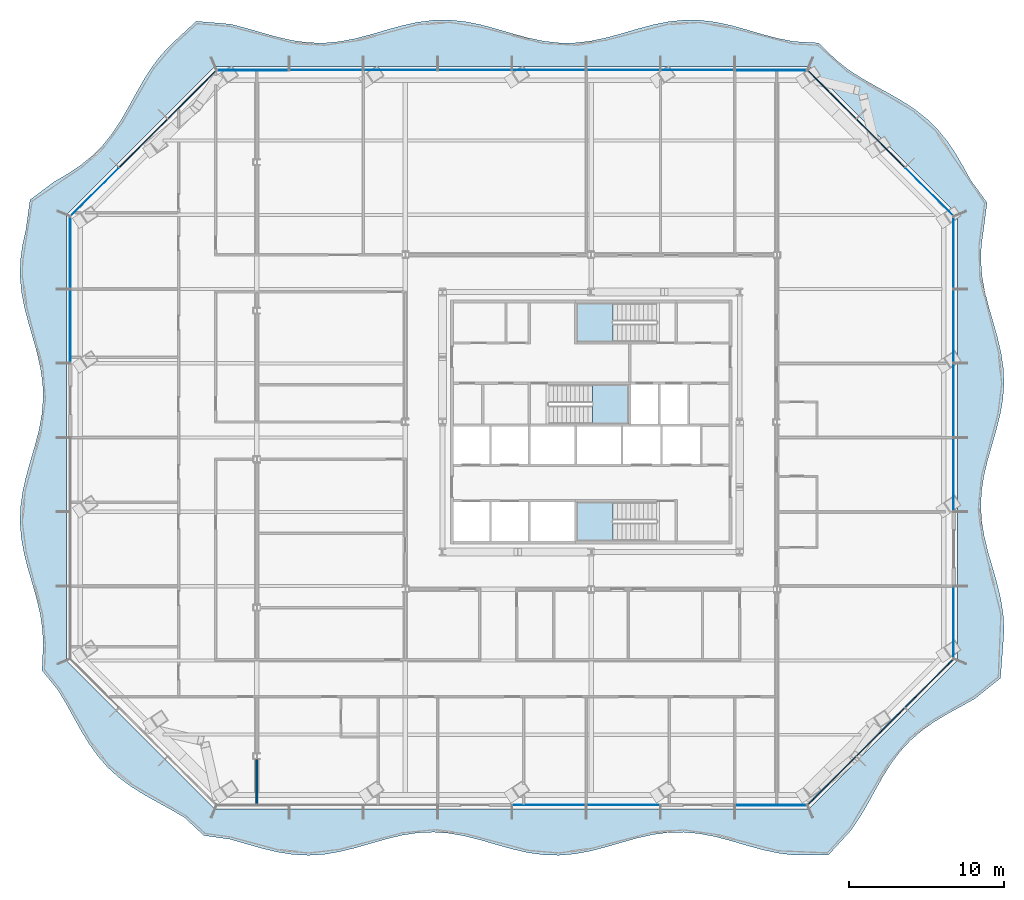
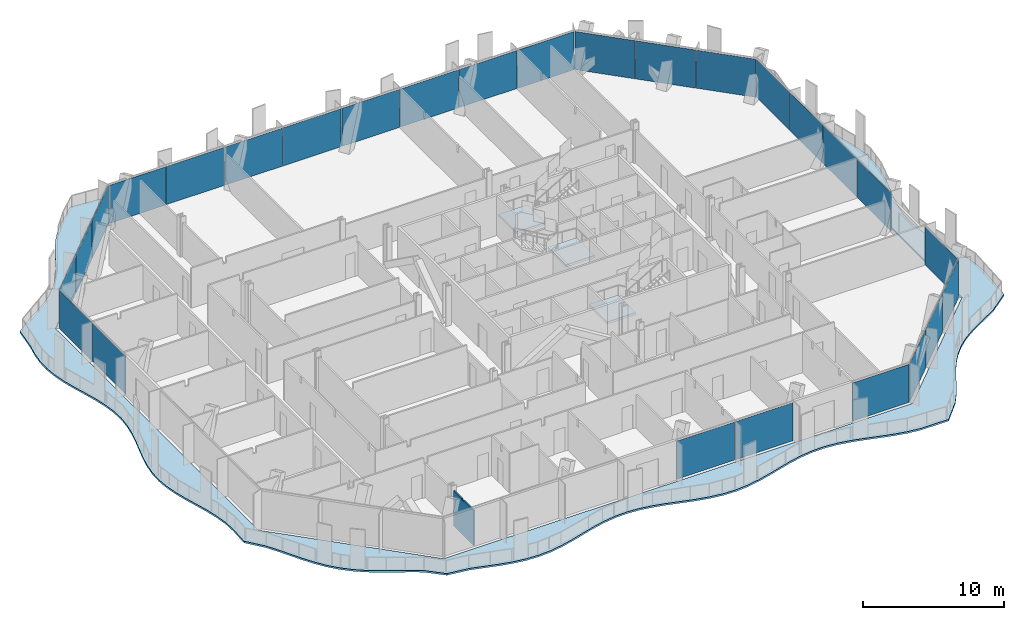
# One storey, part 5 of 19: 27 plates, 4 slabs, 1 wall, 10 elements without a shape of their own.
"""IFC4 building model written with IfcOpenShell, lengths in metres."""

from ifc_helpers import new_model, si_unit, direction, frame, origin, origin_2d, place, context, subcontext, project, spatial, polyline, rectangle, outline, extrude, material, layer, layer_set, type_object, element, aggregate, save


model = new_model("IFC4")

# Units and contexts
model_context = context("Model", 3, precision=1e-05, world=origin(), true_north=direction((0.0, 1.0)))
body_context = subcontext(model_context, "Body", "Model", "MODEL_VIEW")
ifc_project = project(units=[si_unit("LENGTHUNIT", "METRE"), si_unit("AREAUNIT", "SQUARE_METRE"), si_unit("VOLUMEUNIT", "CUBIC_METRE"), si_unit("PLANEANGLEUNIT", "RADIAN"), si_unit("MASSUNIT", "GRAM", prefix="KILO")], contexts=[model_context])

# Site, building, storey
site_placement = place(None, origin())
site = spatial("IfcSite", under=ifc_project, at=site_placement, CompositionType="ELEMENT")
building_placement = place(site_placement, origin())
building = spatial("IfcBuilding", under=site, at=building_placement, Name="Cairn Pilgrim Tower", CompositionType="ELEMENT")
storey_placement = place(building_placement, frame((0.0, 0.0, 97.800048828125)))
storey = spatial("IfcBuildingStorey", under=building, at=storey_placement, Name="L23", CompositionType="ELEMENT", Elevation=97.800048828125)

# Slab
ifc_material_1 = material(Name="Concrete C35/45", Category="concrete")
ifc_layer_1 = layer(ifc_material_1, 0.14990234375)
ifc_layer_set_1 = layer_set([ifc_layer_1], Name="BALCONY SLAB 150 CONCRETE C35/45")
slab_type_1 = type_object("IfcSlabType", Name="BALCONY SLAB 150 CONCRETE C35/45", PredefinedType="FLOOR", material=ifc_layer_set_1)
slab_1_placement = place(storey_placement, frame((0.0, 0.0, -0.150146484375)))
element("IfcSlab", 1, at=slab_1_placement, inside=storey, type_object=slab_type_1, Name="Balcony slab BS-1", PredefinedType="FLOOR", context=body_context, shape_type="SweptSolid", body=[
    extrude(outline(polyline([(-19.055419921875, -23.1796875), (-17.8251953125, -24.328369140625), (-16.102294921875, -24.574462890625), (-15.091796875, -24.86474609375), (-14.081298828125, -25.154296875), (-13.07080078125, -25.397705078125), (-12.060302734375, -25.557373046875), (-11.0498046875, -25.6083984375), (-10.039306640625, -25.54296875), (-9.02880859375, -25.37109375), (-8.018310546875, -25.11962890625), (-7.007568359375, -24.82763671875), (-5.9970703125, -24.54052734375), (-4.986572265625, -24.302734375), (-3.97607421875, -24.1513671875), (-2.965576171875, -24.10986328125), (-1.955078125, -24.184814453125), (-0.944580078125, -24.364501953125), (0.06591796875, -24.620849609375), (1.07666015625, -24.914306640625), (2.087158203125, -25.19921875), (3.09765625, -25.430908203125), (4.108154296875, -25.57373046875), (5.11865234375, -25.60546875), (6.129150390625, -25.521240234375), (7.1396484375, -25.333740234375), (8.150146484375, -25.072509765625), (9.16064453125, -24.778076171875), (10.17138671875, -24.496337890625), (11.181884765625, -24.2705078125), (12.1923828125, -24.136474609375), (13.202880859375, -24.114501953125), (14.21337890625, -24.2080078125), (15.223876953125, -24.40283203125), (16.234375, -24.66845703125), (17.244873046875, -24.963623046875), (18.25537109375, -25.242431640625), (19.26611328125, -25.461669921875), (20.276611328125, -25.587158203125), (22.52587890625, -25.599365234375), (24.019287109375, -23.96923828125), (24.5712890625, -23.14990234375), (25.077392578125, -22.28466796875), (25.56298828125, -21.398681640625), (26.056884765625, -20.521240234375), (26.586669921875, -19.6796875), (27.174560546875, -18.89599609375), (27.83447265625, -18.1845703125), (28.5703125, -17.549072265625), (29.374755859375, -16.982177734375), (30.23095703125, -16.466796875), (31.1142578125, -15.978759765625), (31.99658203125, -15.489501953125), (33.662353515625, -14.158203125), (33.826416015625, -12.015625), (33.886962890625, -11.0224609375), (33.8349609375, -10.029296875), (33.677978515625, -9.0361328125), (33.439697265625, -8.043212890625), (33.15625, -7.050048828125), (32.86962890625, -6.056884765625), (32.623291015625, -5.063720703125), (32.4541015625, -4.07080078125), (32.387451171875, -3.07763671875), (32.43359375, -2.08447265625), (32.5849609375, -1.09130859375), (32.819580078125, -0.098388671875), (33.101806640625, 0.894775390625), (33.38916015625, 1.887939453125), (33.638671875, 2.881103515625), (33.81298828125, 3.8740234375), (33.8857421875, 4.8671875), (33.84619140625, 5.8603515625), (33.699951171875, 6.853515625), (33.46923828125, 7.846435546875), (33.188720703125, 8.839599609375), (32.900390625, 9.832763671875), (32.6474609375, 10.825927734375), (32.46826171875, 11.81884765625), (32.389404296875, 12.81201171875), (32.4228515625, 13.80517578125), (32.5634765625, 14.79833984375), (32.79052734375, 16.579833984375), (31.739501953125, 18.015380859375), (31.253662109375, 18.90087890625), (30.746826171875, 19.765380859375), (30.193359375, 20.583251953125), (29.573974609375, 21.33544921875), (28.879638671875, 22.0126953125), (28.111328125, 22.61572265625), (27.281005859375, 23.15673828125), (26.4091796875, 23.656494140625), (25.522705078125, 24.141357421875), (24.650390625, 24.640380859375), (23.81884765625, 25.18017578125), (23.048828125, 25.78173828125), (21.911376953125, 26.898681640625), (20.276611328125, 26.996337890625), (19.26611328125, 27.1943359375), (18.25537109375, 27.4619140625), (17.244873046875, 27.75732421875), (16.234375, 28.03466796875), (15.223876953125, 28.2509765625), (14.21337890625, 28.37255859375), (13.202880859375, 28.38037109375), (12.1923828125, 28.2734375), (11.181884765625, 28.068359375), (10.17138671875, 27.796630859375), (9.16064453125, 27.5009765625), (8.150146484375, 27.227294921875), (7.1396484375, 27.017822265625), (6.129150390625, 26.9052734375), (5.11865234375, 26.906982421875), (4.108154296875, 27.02294921875), (3.09765625, 27.235107421875), (2.087158203125, 27.51025390625), (1.07666015625, 27.805908203125), (0.06591796875, 28.075927734375), (-0.944580078125, 28.278564453125), (-1.955078125, 28.3818359375), (-2.965576171875, 28.370361328125), (-3.97607421875, 28.245361328125), (-4.986572265625, 28.026611328125), (-5.9970703125, 27.747802734375), (-7.007568359375, 27.45263671875), (-8.018310546875, 27.186767578125), (-9.02880859375, 26.991455078125), (-10.039306640625, 26.897216796875), (-11.0498046875, 26.918701171875), (-12.060302734375, 27.052490234375), (-13.07080078125, 27.277587890625), (-14.081298828125, 27.5595703125), (-15.091796875, 27.85400390625), (-16.102294921875, 28.115478515625), (-18.319091796875, 28.30322265625), (-19.916748046875, 26.82373046875), (-20.586181640625, 26.121826171875), (-21.182373046875, 25.346435546875), (-21.71826171875, 24.510986328125), (-22.215087890625, 23.636474609375), (-22.7001953125, 22.75), (-23.2021484375, 21.880615234375), (-23.747314453125, 21.054443359375), (-24.35595703125, 20.29150390625), (-25.0390625, 19.603271484375), (-25.796875, 18.989501953125), (-26.619140625, 18.4404296875), (-27.486328125, 17.93603515625), (-29.0595703125, 16.763427734375), (-29.335205078125, 14.79833984375), (-29.5546875, 13.80517578125), (-29.685546875, 12.81201171875), (-29.707763671875, 11.81884765625), (-29.6181640625, 10.825927734375), (-29.429931640625, 9.832763671875), (-29.171875, 8.839599609375), (-28.88232421875, 7.846435546875), (-28.60498046875, 6.853515625), (-28.38134765625, 5.8603515625), (-28.244873046875, 4.8671875), (-28.216552734375, 3.8740234375), (-28.300048828125, 2.881103515625), (-28.483154296875, 1.887939453125), (-28.738525390625, 0.894775390625), (-29.02734375, -0.098388671875), (-29.306640625, -1.09130859375), (-29.5341796875, -2.08447265625), (-29.676025390625, -3.07763671875), (-29.7109375, -4.07080078125), (-29.63330078125, -5.063720703125), (-29.455078125, -6.056884765625), (-29.202880859375, -7.050048828125), (-28.914794921875, -8.043212890625), (-28.6337890625, -9.0361328125), (-28.40234375, -10.029296875), (-28.2548828125, -11.0224609375), (-28.214111328125, -12.015625), (-28.285400390625, -13.659912109375), (-27.258056640625, -14.92529296875), (-26.742919921875, -15.781494140625), (-26.2548828125, -16.664794921875), (-25.765625, -17.547119140625), (-25.2470703125, -18.39990234375), (-24.67529296875, -19.19970703125), (-24.033935546875, -19.9296875), (-23.316650390625, -20.583740234375), (-22.52783203125, -21.16650390625), (-21.6826171875, -21.692626953125), (-20.803466796875, -22.184814453125), (-19.918212890625, -22.6708984375), (-19.055419921875, -23.1796875)]), holes=[polyline([(21.287109375, -22.608642578125), (-17.113037109375, -22.608642578125), (-26.712890625, -13.008544921875), (-26.712890625, 15.791259765625), (-17.113037109375, 25.391357421875), (21.287109375, 25.391357421875), (30.886962890625, 15.791259765625), (30.886962890625, -13.008544921875), (21.287109375, -22.608642578125)])]), origin(), (0.0, 0.0, 1.0), 0.150146484375),
])

# Curtain wall, plates
ifc_material_2 = material(Name="Aluminium alloy 6063-T6 bronze anodised with Bronze tinted laminated low-E glass 8+16+8.8", Category="aluminium")
curtain_wall_type_1 = type_object("IfcCurtainWallType", Name="CHAMFER CORNER CURTAIN WALL", PredefinedType="NOTDEFINED", material=ifc_material_2)
curtain_wall_1_placement = place(storey_placement, origin())
curtain_wall_1 = element("IfcCurtainWall", 2, at=curtain_wall_1_placement, inside=storey, type_object=curtain_wall_type_1, Name="Chamfer Corner Curtain Wall SE", PredefinedType="NOTDEFINED")
ifc_material_3 = material(Name="Bronze anodised aluminium spandrel panel with mineral wool insulation", Category="aluminium")
ifc_layer_2 = layer(ifc_material_3, 0.06005859375)
ifc_layer_set_2 = layer_set([ifc_layer_2], Name="SPANDREL PANEL 4386x3300")
plate_type_1 = type_object("IfcPlateType", Name="SPANDREL PANEL 4386x3300", PredefinedType="CURTAIN_PANEL", material=ifc_layer_set_2)
plate_1_placement = place(storey_placement, frame((22.7626953125, -20.779541015625, 0.0), z_axis=(0.0, 0.0, 1.0), x_axis=(0.707106781187, 0.707106781187, 0.0)))
plate_1 = element("IfcPlate", 3, at=plate_1_placement, type_object=plate_type_1, Name="Spandrel Panel SE1-1", PredefinedType="CURTAIN_PANEL", context=body_context, shape_type="SweptSolid", body=[
    extrude(rectangle(XDim=4.386474609375, YDim=0.06005859375, at=origin_2d()), origin(), (0.0, 0.0, 1.0), 3.300048828125),
])
plate_2_placement = place(storey_placement, frame((29.057861328125, -14.484130859375, 0.0), z_axis=(0.0, 0.0, 1.0), x_axis=(0.707106781187, 0.707106781187, 0.0)))
plate_2 = element("IfcPlate", 4, at=plate_2_placement, type_object=plate_type_1, Name="Spandrel Panel SE3-1", PredefinedType="CURTAIN_PANEL", context=body_context, shape_type="SweptSolid", body=[
    extrude(rectangle(XDim=4.386474609375, YDim=0.06005859375, at=origin_2d()), origin(), (0.0, 0.0, 1.0), 3.300048828125),
])

# Curtain wall, plate
curtain_wall_2_placement = place(storey_placement, origin())
curtain_wall_2 = element("IfcCurtainWall", 5, at=curtain_wall_2_placement, inside=storey, type_object=curtain_wall_type_1, Name="Chamfer Corner Curtain Wall NE", PredefinedType="NOTDEFINED")
plate_3_placement = place(storey_placement, frame((22.7626953125, 23.562255859375, 0.0), z_axis=(0.0, 0.0, 1.0), x_axis=(-0.707106781187, 0.707106781187, 0.0)))
plate_3 = element("IfcPlate", 6, at=plate_3_placement, type_object=plate_type_1, Name="Spandrel Panel NE3-1", PredefinedType="CURTAIN_PANEL", context=body_context, shape_type="SweptSolid", body=[
    extrude(rectangle(XDim=4.386474609375, YDim=0.06005859375, at=origin_2d()), origin(), (0.0, 0.0, 1.0), 3.300048828125),
])

curtain_wall_3_placement = place(storey_placement, origin())
curtain_wall_3 = element("IfcCurtainWall", 7, at=curtain_wall_3_placement, inside=storey, type_object=curtain_wall_type_1, Name="Chamfer Corner Curtain Wall NW", PredefinedType="NOTDEFINED")
plate_4_placement = place(storey_placement, frame((-18.588623046875, 23.562255859375, 0.0), z_axis=(0.0, 0.0, 1.0), x_axis=(-0.707106781187, -0.707106781187, 0.0)))
plate_4 = element("IfcPlate", 8, at=plate_4_placement, type_object=plate_type_1, Name="Spandrel Panel NW1-1", PredefinedType="CURTAIN_PANEL", context=body_context, shape_type="SweptSolid", body=[
    extrude(rectangle(XDim=4.386474609375, YDim=0.06005859375, at=origin_2d()), origin(), (0.0, 0.0, 1.0), 3.300048828125),
])

# Plate
ifc_layer_3 = layer(ifc_material_3, 0.06005859375)
ifc_layer_set_3 = layer_set([ifc_layer_3], Name="SPANDREL PANEL 4396x3300")
plate_type_2 = type_object("IfcPlateType", Name="SPANDREL PANEL 4396x3300", PredefinedType="CURTAIN_PANEL", material=ifc_layer_set_3)
plate_5_placement = place(storey_placement, frame((25.910400390625, -17.6318359375, 0.0), z_axis=(0.0, 0.0, 1.0), x_axis=(0.707106781187, 0.707106781187, 0.0)))
plate_5 = element("IfcPlate", 9, at=plate_5_placement, type_object=plate_type_2, Name="Spandrel Panel SE2-1", PredefinedType="CURTAIN_PANEL", context=body_context, shape_type="SweptSolid", body=[
    extrude(rectangle(XDim=4.396484375, YDim=0.06005859375, at=origin_2d()), origin(), (0.0, 0.0, 1.0), 3.300048828125),
])

aggregate(curtain_wall_1, [plate_1, plate_5, plate_2])

plate_6_placement = place(storey_placement, frame((25.910400390625, 20.41455078125, 0.0), z_axis=(0.0, 0.0, 1.0), x_axis=(-0.707106781187, 0.707106781187, 0.0)))
plate_6 = element("IfcPlate", 10, at=plate_6_placement, type_object=plate_type_2, Name="Spandrel Panel NE2-1", PredefinedType="CURTAIN_PANEL", context=body_context, shape_type="SweptSolid", body=[
    extrude(rectangle(XDim=4.396484375, YDim=0.06005859375, at=origin_2d()), origin(), (0.0, 0.0, 1.0), 3.300048828125),
])

plate_7_placement = place(storey_placement, frame((-21.736083984375, 20.41455078125, 0.0), z_axis=(0.0, 0.0, 1.0), x_axis=(-0.707106781187, -0.707106781187, 0.0)))
plate_7 = element("IfcPlate", 11, at=plate_7_placement, type_object=plate_type_2, Name="Spandrel Panel NW2-1", PredefinedType="CURTAIN_PANEL", context=body_context, shape_type="SweptSolid", body=[
    extrude(rectangle(XDim=4.396484375, YDim=0.06005859375, at=origin_2d()), origin(), (0.0, 0.0, 1.0), 3.300048828125),
])

# Curtain wall, plate
curtain_wall_type_2 = type_object("IfcCurtainWallType", Name="TOWER STICK CURTAIN WALL NS", PredefinedType="NOTDEFINED", material=ifc_material_2)
curtain_wall_4_placement = place(storey_placement, origin())
curtain_wall_4 = element("IfcCurtainWall", 12, at=curtain_wall_4_placement, inside=storey, type_object=curtain_wall_type_2, Name="Tower Stick Curtain Wall Ns S", PredefinedType="NOTDEFINED")
ifc_layer_4 = layer(ifc_material_3, 0.06005859375)
ifc_layer_set_4 = layer_set([ifc_layer_4], Name="SPANDREL PANEL 4626x3300")
plate_type_3 = type_object("IfcPlateType", Name="SPANDREL PANEL 4626x3300", PredefinedType="CURTAIN_PANEL", material=ifc_layer_set_4)
plate_8_placement = place(storey_placement, frame((18.830322265625, -22.358642578125, 0.0), z_axis=(0.0, 0.0, 1.0), x_axis=(1.0, 0.0, 0.0)))
plate_8 = element("IfcPlate", 13, at=plate_8_placement, type_object=plate_type_3, Name="Spandrel Panel S8-1", PredefinedType="CURTAIN_PANEL", context=body_context, shape_type="SweptSolid", body=[
    extrude(rectangle(XDim=4.62646484375, YDim=0.06005859375, at=origin_2d()), origin(), (0.0, 0.0, 1.0), 3.300048828125),
])

# Curtain wall, plates
curtain_wall_5_placement = place(storey_placement, origin())
curtain_wall_5 = element("IfcCurtainWall", 14, at=curtain_wall_5_placement, inside=storey, type_object=curtain_wall_type_2, Name="Tower Stick Curtain Wall Ns N", PredefinedType="NOTDEFINED")
plate_9_placement = place(storey_placement, frame((18.830322265625, 25.141357421875, 0.0), z_axis=(0.0, 0.0, 1.0), x_axis=(-1.0, 0.0, 0.0)))
plate_9 = element("IfcPlate", 15, at=plate_9_placement, type_object=plate_type_3, Name="Spandrel Panel N1-1", PredefinedType="CURTAIN_PANEL", context=body_context, shape_type="SweptSolid", body=[
    extrude(rectangle(XDim=4.62646484375, YDim=0.06005859375, at=origin_2d()), origin(), (0.0, 0.0, 1.0), 3.300048828125),
])
plate_10_placement = place(storey_placement, frame((-14.65625, 25.141357421875, 0.0), z_axis=(0.0, 0.0, 1.0), x_axis=(-1.0, 0.0, 0.0)))
plate_10 = element("IfcPlate", 16, at=plate_10_placement, type_object=plate_type_3, Name="Spandrel Panel N8-1", PredefinedType="CURTAIN_PANEL", context=body_context, shape_type="SweptSolid", body=[
    extrude(rectangle(XDim=4.62646484375, YDim=0.06005859375, at=origin_2d()), origin(), (0.0, 0.0, 1.0), 3.300048828125),
])

# Stair, slab
ifc_material_4 = material(Name="Concrete C32/40", Category="concrete")
stair_type = type_object("IfcStairType", Name="EXIT STAIR 1200", PredefinedType="HALF_TURN_STAIR", material=ifc_material_4)
stair_1_placement = place(storey_placement, origin())
stair_1 = element("IfcStair", 17, at=stair_1_placement, inside=storey, type_object=stair_type, Name="L23 Exit Stair A", PredefinedType="HALF_TURN_STAIR")
ifc_layer_5 = layer(ifc_material_4, 0.199951171875)
ifc_layer_set_5 = layer_set([ifc_layer_5], Name="STAIR LANDING 200")
slab_type_2 = type_object("IfcSlabType", Name="STAIR LANDING 200", PredefinedType="LANDING", material=ifc_layer_set_5)
slab_2_placement = place(storey_placement, frame((0.0, 0.0, 1.599853515625)))
slab_2 = element("IfcSlab", 18, at=slab_2_placement, type_object=slab_type_2, Name="ST-A landing 1", PredefinedType="LANDING", context=body_context, shape_type="SweptSolid", body=[
    extrude(outline(polyline([(8.625, -2.77490234375), (6.27490234375, -2.77490234375), (6.27490234375, -5.300048828125), (8.625, -5.300048828125), (8.625, -2.77490234375)])), origin(), (0.0, 0.0, 1.0), 0.2001953125),
])
aggregate(stair_1, [slab_2])

stair_2_placement = place(storey_placement, origin())
stair_2 = element("IfcStair", 19, at=stair_2_placement, inside=storey, type_object=stair_type, Name="L23 Exit Stair B", PredefinedType="HALF_TURN_STAIR")
slab_3_placement = place(storey_placement, frame((0.0, 0.0, 1.599853515625)))
slab_3 = element("IfcSlab", 20, at=slab_3_placement, type_object=slab_type_2, Name="ST-B landing 1", PredefinedType="LANDING", context=body_context, shape_type="SweptSolid", body=[
    extrude(outline(polyline([(7.27490234375, 2.27490234375), (9.625, 2.27490234375), (9.625, 4.824951171875), (7.27490234375, 4.824951171875), (7.27490234375, 2.27490234375)])), origin(), (0.0, 0.0, 1.0), 0.2001953125),
])
aggregate(stair_2, [slab_3])

stair_3_placement = place(storey_placement, origin())
stair_3 = element("IfcStair", 21, at=stair_3_placement, inside=storey, type_object=stair_type, Name="L23 Exit Stair C", PredefinedType="HALF_TURN_STAIR")
slab_4_placement = place(storey_placement, frame((0.0, 0.0, 1.599853515625)))
slab_4 = element("IfcSlab", 22, at=slab_4_placement, type_object=slab_type_2, Name="ST-C landing 1", PredefinedType="LANDING", context=body_context, shape_type="SweptSolid", body=[
    extrude(outline(polyline([(8.625, 10.10009765625), (6.27490234375, 10.10009765625), (6.27490234375, 7.574951171875), (8.625, 7.574951171875), (8.625, 10.10009765625)])), origin(), (0.0, 0.0, 1.0), 0.2001953125),
])
aggregate(stair_3, [slab_4])

# Plate
ifc_material_5 = material(Name="Bronze tinted laminated low-E glass 8+16+8.8", Category="glass")
ifc_layer_6 = layer(ifc_material_5, 0.033935546875)
ifc_layer_set_6 = layer_set([ifc_layer_6], Name="VISION GLAZING 4386x3300")
plate_type_4 = type_object("IfcPlateType", Name="VISION GLAZING 4386x3300", PredefinedType="CURTAIN_PANEL", material=ifc_layer_set_6)
plate_11_placement = place(storey_placement, frame((29.057861328125, 17.266845703125, 0.0), z_axis=(0.0, 0.0, 1.0), x_axis=(-0.707106781187, 0.707106781187, 0.0)))
plate_11 = element("IfcPlate", 23, at=plate_11_placement, type_object=plate_type_4, Name="Vision Glazing NE1-1", PredefinedType="CURTAIN_PANEL", context=body_context, shape_type="SweptSolid", body=[
    extrude(rectangle(XDim=4.386474609375, YDim=0.033935546875, at=origin_2d()), origin(), (0.0, 0.0, 1.0), 3.300048828125),
])

aggregate(curtain_wall_2, [plate_11, plate_6, plate_3])

plate_12_placement = place(storey_placement, frame((-24.8837890625, 17.266845703125, 0.0), z_axis=(0.0, 0.0, 1.0), x_axis=(-0.707106781187, -0.707106781187, 0.0)))
plate_12 = element("IfcPlate", 24, at=plate_12_placement, type_object=plate_type_4, Name="Vision Glazing NW3-1", PredefinedType="CURTAIN_PANEL", context=body_context, shape_type="SweptSolid", body=[
    extrude(rectangle(XDim=4.386474609375, YDim=0.033935546875, at=origin_2d()), origin(), (0.0, 0.0, 1.0), 3.300048828125),
])

aggregate(curtain_wall_3, [plate_4, plate_7, plate_12])

# Curtain wall, plates
curtain_wall_type_3 = type_object("IfcCurtainWallType", Name="TOWER STICK CURTAIN WALL EW", PredefinedType="NOTDEFINED", material=ifc_material_2)
curtain_wall_6_placement = place(storey_placement, origin())
curtain_wall_6 = element("IfcCurtainWall", 25, at=curtain_wall_6_placement, inside=storey, type_object=curtain_wall_type_3, Name="Tower Stick Curtain Wall Ew E", PredefinedType="NOTDEFINED")
ifc_layer_7 = layer(ifc_material_5, 0.033935546875)
ifc_layer_set_7 = layer_set([ifc_layer_7], Name="VISION GLAZING 4626x3300")
plate_type_5 = type_object("IfcPlateType", Name="VISION GLAZING 4626x3300", PredefinedType="CURTAIN_PANEL", material=ifc_layer_set_7)
plate_13_placement = place(storey_placement, frame((30.636962890625, -10.5517578125, 0.0), z_axis=(0.0, 0.0, 1.0), x_axis=(0.0, 1.0, 0.0)))
plate_13 = element("IfcPlate", 26, at=plate_13_placement, type_object=plate_type_5, Name="Vision Glazing E1-1", PredefinedType="CURTAIN_PANEL", context=body_context, shape_type="SweptSolid", body=[
    extrude(rectangle(XDim=4.62646484375, YDim=0.033935546875, at=origin_2d()), origin(), (0.0, 0.0, 1.0), 3.300048828125),
])
plate_14_placement = place(storey_placement, frame((30.636962890625, 13.334716796875, 0.0), z_axis=(0.0, 0.0, 1.0), x_axis=(0.0, 1.0, 0.0)))
plate_14 = element("IfcPlate", 27, at=plate_14_placement, type_object=plate_type_5, Name="Vision Glazing E6-1", PredefinedType="CURTAIN_PANEL", context=body_context, shape_type="SweptSolid", body=[
    extrude(rectangle(XDim=4.62646484375, YDim=0.033935546875, at=origin_2d()), origin(), (0.0, 0.0, 1.0), 3.300048828125),
])

# Curtain wall, plate
curtain_wall_7_placement = place(storey_placement, origin())
curtain_wall_7 = element("IfcCurtainWall", 28, at=curtain_wall_7_placement, inside=storey, type_object=curtain_wall_type_3, Name="Tower Stick Curtain Wall Ew W", PredefinedType="NOTDEFINED")
plate_15_placement = place(storey_placement, frame((-26.462890625, 13.334716796875, 0.0), z_axis=(0.0, 0.0, 1.0), x_axis=(0.0, -1.0, 0.0)))
plate_15 = element("IfcPlate", 29, at=plate_15_placement, type_object=plate_type_5, Name="Vision Glazing W1-1", PredefinedType="CURTAIN_PANEL", context=body_context, shape_type="SweptSolid", body=[
    extrude(rectangle(XDim=4.62646484375, YDim=0.033935546875, at=origin_2d()), origin(), (0.0, 0.0, 1.0), 3.300048828125),
])

# Plate
ifc_layer_8 = layer(ifc_material_5, 0.033935546875)
ifc_layer_set_8 = layer_set([ifc_layer_8], Name="VISION GLAZING 4740x3300")
plate_type_6 = type_object("IfcPlateType", Name="VISION GLAZING 4740x3300", PredefinedType="CURTAIN_PANEL", material=ifc_layer_set_8)
plate_16_placement = place(storey_placement, frame((4.487060546875, -22.358642578125, 0.0), z_axis=(0.0, 0.0, 1.0), x_axis=(1.0, 0.0, 0.0)))
plate_16 = element("IfcPlate", 30, at=plate_16_placement, type_object=plate_type_6, Name="Vision Glazing S5-1", PredefinedType="CURTAIN_PANEL", context=body_context, shape_type="SweptSolid", body=[
    extrude(rectangle(XDim=4.739990234375, YDim=0.033935546875, at=origin_2d()), origin(), (0.0, 0.0, 1.0), 3.300048828125),
])

plate_17_placement = place(storey_placement, frame((9.287109375, -22.358642578125, 0.0), z_axis=(0.0, 0.0, 1.0), x_axis=(1.0, 0.0, 0.0)))
plate_17 = element("IfcPlate", 31, at=plate_17_placement, type_object=plate_type_6, Name="Vision Glazing S6-1", PredefinedType="CURTAIN_PANEL", context=body_context, shape_type="SweptSolid", body=[
    extrude(rectangle(XDim=4.739990234375, YDim=0.033935546875, at=origin_2d()), origin(), (0.0, 0.0, 1.0), 3.300048828125),
])

aggregate(curtain_wall_4, [plate_16, plate_17, plate_8])

plate_18_placement = place(storey_placement, frame((30.636962890625, -1.008544921875, 0.0), z_axis=(0.0, 0.0, 1.0), x_axis=(0.0, 1.0, 0.0)))
plate_18 = element("IfcPlate", 32, at=plate_18_placement, type_object=plate_type_6, Name="Vision Glazing E3-1", PredefinedType="CURTAIN_PANEL", context=body_context, shape_type="SweptSolid", body=[
    extrude(rectangle(XDim=4.739990234375, YDim=0.033935546875, at=origin_2d()), origin(), (0.0, 0.0, 1.0), 3.300048828125),
])

plate_19_placement = place(storey_placement, frame((30.636962890625, 3.791259765625, 0.0), z_axis=(0.0, 0.0, 1.0), x_axis=(0.0, 1.0, 0.0)))
plate_19 = element("IfcPlate", 33, at=plate_19_placement, type_object=plate_type_6, Name="Vision Glazing E4-1", PredefinedType="CURTAIN_PANEL", context=body_context, shape_type="SweptSolid", body=[
    extrude(rectangle(XDim=4.739990234375, YDim=0.033935546875, at=origin_2d()), origin(), (0.0, 0.0, 1.0), 3.300048828125),
])

plate_20_placement = place(storey_placement, frame((30.636962890625, 8.59130859375, 0.0), z_axis=(0.0, 0.0, 1.0), x_axis=(0.0, 1.0, 0.0)))
plate_20 = element("IfcPlate", 34, at=plate_20_placement, type_object=plate_type_6, Name="Vision Glazing E5-1", PredefinedType="CURTAIN_PANEL", context=body_context, shape_type="SweptSolid", body=[
    extrude(rectangle(XDim=4.739990234375, YDim=0.033935546875, at=origin_2d()), origin(), (0.0, 0.0, 1.0), 3.300048828125),
])

aggregate(curtain_wall_6, [plate_13, plate_18, plate_19, plate_20, plate_14])

plate_21_placement = place(storey_placement, frame((14.087158203125, 25.141357421875, 0.0), z_axis=(0.0, 0.0, 1.0), x_axis=(-1.0, 0.0, 0.0)))
plate_21 = element("IfcPlate", 35, at=plate_21_placement, type_object=plate_type_6, Name="Vision Glazing N2-1", PredefinedType="CURTAIN_PANEL", context=body_context, shape_type="SweptSolid", body=[
    extrude(rectangle(XDim=4.739990234375, YDim=0.033935546875, at=origin_2d()), origin(), (0.0, 0.0, 1.0), 3.300048828125),
])

plate_22_placement = place(storey_placement, frame((9.287109375, 25.141357421875, 0.0), z_axis=(0.0, 0.0, 1.0), x_axis=(-1.0, 0.0, 0.0)))
plate_22 = element("IfcPlate", 36, at=plate_22_placement, type_object=plate_type_6, Name="Vision Glazing N3-1", PredefinedType="CURTAIN_PANEL", context=body_context, shape_type="SweptSolid", body=[
    extrude(rectangle(XDim=4.739990234375, YDim=0.033935546875, at=origin_2d()), origin(), (0.0, 0.0, 1.0), 3.300048828125),
])

plate_23_placement = place(storey_placement, frame((4.487060546875, 25.141357421875, 0.0), z_axis=(0.0, 0.0, 1.0), x_axis=(-1.0, 0.0, 0.0)))
plate_23 = element("IfcPlate", 37, at=plate_23_placement, type_object=plate_type_6, Name="Vision Glazing N4-1", PredefinedType="CURTAIN_PANEL", context=body_context, shape_type="SweptSolid", body=[
    extrude(rectangle(XDim=4.739990234375, YDim=0.033935546875, at=origin_2d()), origin(), (0.0, 0.0, 1.0), 3.300048828125),
])

plate_24_placement = place(storey_placement, frame((-0.31298828125, 25.141357421875, 0.0), z_axis=(0.0, 0.0, 1.0), x_axis=(-1.0, 0.0, 0.0)))
plate_24 = element("IfcPlate", 38, at=plate_24_placement, type_object=plate_type_6, Name="Vision Glazing N5-1", PredefinedType="CURTAIN_PANEL", context=body_context, shape_type="SweptSolid", body=[
    extrude(rectangle(XDim=4.739990234375, YDim=0.033935546875, at=origin_2d()), origin(), (0.0, 0.0, 1.0), 3.300048828125),
])

plate_25_placement = place(storey_placement, frame((-5.113037109375, 25.141357421875, 0.0), z_axis=(0.0, 0.0, 1.0), x_axis=(-1.0, 0.0, 0.0)))
plate_25 = element("IfcPlate", 39, at=plate_25_placement, type_object=plate_type_6, Name="Vision Glazing N6-1", PredefinedType="CURTAIN_PANEL", context=body_context, shape_type="SweptSolid", body=[
    extrude(rectangle(XDim=4.739990234375, YDim=0.033935546875, at=origin_2d()), origin(), (0.0, 0.0, 1.0), 3.300048828125),
])

plate_26_placement = place(storey_placement, frame((-9.912841796875, 25.141357421875, 0.0), z_axis=(0.0, 0.0, 1.0), x_axis=(-1.0, 0.0, 0.0)))
plate_26 = element("IfcPlate", 40, at=plate_26_placement, type_object=plate_type_6, Name="Vision Glazing N7-1", PredefinedType="CURTAIN_PANEL", context=body_context, shape_type="SweptSolid", body=[
    extrude(rectangle(XDim=4.739990234375, YDim=0.033935546875, at=origin_2d()), origin(), (0.0, 0.0, 1.0), 3.300048828125),
])

aggregate(curtain_wall_5, [plate_9, plate_21, plate_22, plate_23, plate_24, plate_25, plate_26, plate_10])

plate_27_placement = place(storey_placement, frame((-26.462890625, 8.59130859375, 0.0), z_axis=(0.0, 0.0, 1.0), x_axis=(0.0, -1.0, 0.0)))
plate_27 = element("IfcPlate", 41, at=plate_27_placement, type_object=plate_type_6, Name="Vision Glazing W2-1", PredefinedType="CURTAIN_PANEL", context=body_context, shape_type="SweptSolid", body=[
    extrude(rectangle(XDim=4.739990234375, YDim=0.033935546875, at=origin_2d()), origin(), (0.0, 0.0, 1.0), 3.300048828125),
])

aggregate(curtain_wall_7, [plate_15, plate_27])

# Wall
ifc_material_6 = material(Name="Gypsum partition")
ifc_layer_9 = layer(ifc_material_6, 0.125)
ifc_layer_set_9 = layer_set([ifc_layer_9], Name="PARTITION 125 DRYWALL EI 60")
wall_type = type_object("IfcWallType", Name="PARTITION 125 DRYWALL EI 60", PredefinedType="PARTITIONING", material=ifc_layer_set_9)
wall_placement = place(storey_placement, frame((-14.39990234375, -22.298583984375, 0.0), z_axis=(0.0, 0.0, 1.0), x_axis=(0.0, 1.0, 0.0)))
element("IfcWall", 42, at=wall_placement, inside=storey, type_object=wall_type, Name="PARTITION W001", PredefinedType="PARTITIONING", context=body_context, shape_type="SweptSolid", body=[
    extrude(outline(polyline([(0.0, 0.0), (2.885986328125, 0.0), (2.885986328125, 3.030029296875), (1.74853515625, 3.030029296875), (1.74658203125, 2.929931640625), (1.448486328125, 2.929931640625), (1.446533203125, 3.030029296875), (0.0, 3.030029296875), (0.0, 0.0)])), frame((0.0, 0.0625, 0.0), z_axis=(0.0, -1.0, 0.0), x_axis=(1.0, 0.0, 0.0)), (0.0, 0.0, 1.0), 0.125),
])

save(model, "model.ifc")
